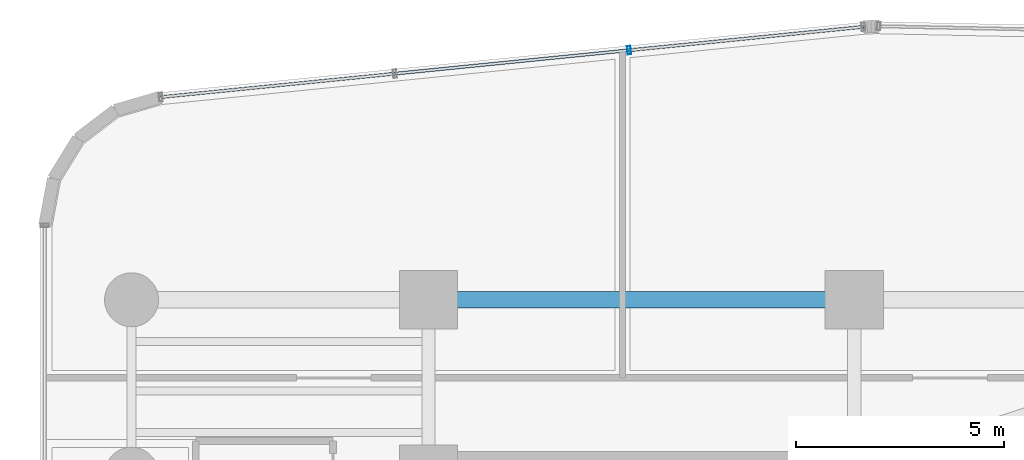
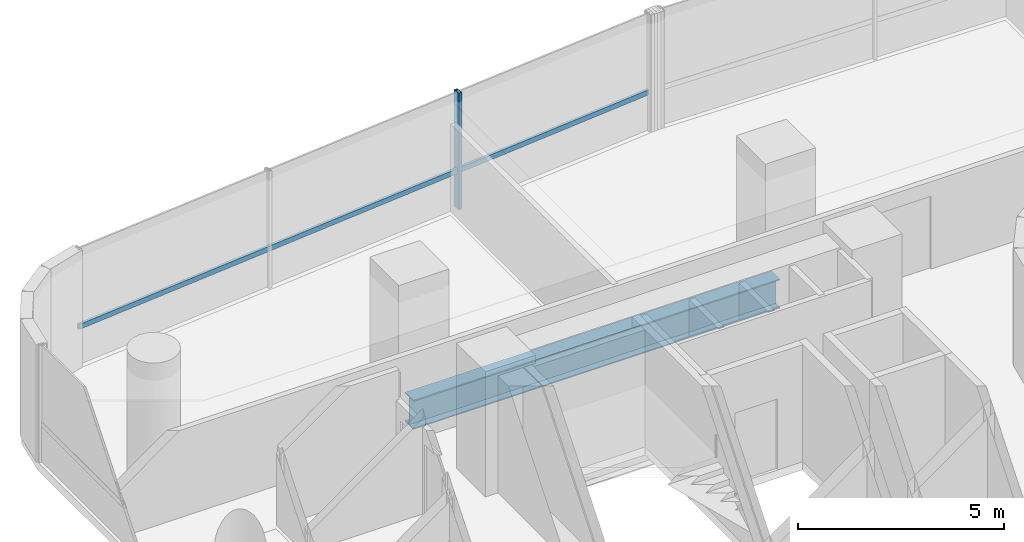
# One storey, part 19 of 41: 2 members, 1 beam, 1 element without a shape of its own.
"""IFC4 building model written with IfcOpenShell, lengths in metres."""

from ifc_helpers import new_model, si_unit, direction, frame, origin, origin_2d, place, context, subcontext, project, spatial, hollow_rectangle, i_section, extrude, source, transform, mapped, material, material_profile, profile_set, type_object, element, aggregate, save


model = new_model("IFC4")

# Units and contexts
model_context = context("Model", 3, precision=1e-05, world=origin(), true_north=direction((0.0, 1.0)))
body_context = subcontext(model_context, "Body", "Model", "MODEL_VIEW")
ifc_project = project(units=[si_unit("LENGTHUNIT", "METRE"), si_unit("AREAUNIT", "SQUARE_METRE"), si_unit("VOLUMEUNIT", "CUBIC_METRE"), si_unit("PLANEANGLEUNIT", "RADIAN"), si_unit("MASSUNIT", "GRAM", prefix="KILO")], contexts=[model_context])

# Site, building, storey
site_placement = place(None, origin())
site = spatial("IfcSite", under=ifc_project, at=site_placement, CompositionType="ELEMENT")
building_placement = place(site_placement, origin())
building = spatial("IfcBuilding", under=site, at=building_placement, Name="Valdorenza Pilgrim Sanctuary Tower", CompositionType="ELEMENT")
storey_placement = place(building_placement, frame((0.0, 0.0, 63.0)))
storey = spatial("IfcBuildingStorey", under=building, at=storey_placement, Name="L15", CompositionType="ELEMENT", Elevation=63.0)

# Beam
ifc_material_1 = material(Name="Steel ASTM A992 Grade 50", Category="steel")
ifc_material_profile_1 = material_profile(ifc_material_1, i_section(OverallWidth=0.39990234375, OverallDepth=0.862060546875, WebThickness=0.019775390625, FlangeThickness=0.032470703125, at=origin_2d()), Name="W33X221")
ifc_profile_set_1 = profile_set([ifc_material_profile_1], Name="Steel ASTM A992 Grade 50")
beam_type = type_object("IfcBeamType", Name="STR-BM-GRD-W33", PredefinedType="BEAM", material=ifc_profile_set_1)
shared_shape_1 = source(origin(), body_context, "Body", "SweptSolid", [
    extrude(i_section(OverallWidth=0.39990234375, OverallDepth=0.862060546875, WebThickness=0.019775390625, FlangeThickness=0.032470703125, at=origin_2d()), origin(), (0.0, 0.0, 1.0), 10.25),
])
beam_placement = place(storey_placement, frame((-22.64990234375, 14.800048828125, -0.6708984375), z_axis=(1.0, 0.0, 0.0), x_axis=(0.0, 1.0, 0.0)))
element("IfcBeam", 1, at=beam_placement, inside=storey, type_object=beam_type, Name="L15 Floor Girder CA-XC-N2", PredefinedType="BEAM", context=body_context, shape_type="MappedRepresentation", body=[
    mapped(shared_shape_1, transform((0.0, 0.0, 0.0), x_axis=(1.0, 0.0, 0.0), y_axis=(0.0, 1.0, 0.0), z_axis=(0.0, 0.0, 1.0), scale=1.0)),
])

# Curtain wall, members
ifc_material_2 = material(Name="Curtain-wall IGU glazing", Category="glass")
curtain_wall_type = type_object("IfcCurtainWallType", Name="CW-SYS-02", PredefinedType="NOTDEFINED", material=ifc_material_2)
curtain_wall_placement = place(storey_placement, origin())
curtain_wall = element("IfcCurtainWall", 2, at=curtain_wall_placement, inside=storey, type_object=curtain_wall_type, Name="L15 Curtain Wall CW-L15-1-6", PredefinedType="NOTDEFINED")
ifc_material_3 = material(Name="Anodised aluminium AW-6060", Category="aluminium")
ifc_material_profile_2 = material_profile(ifc_material_3, hollow_rectangle(XDim=0.0849609375, YDim=0.199951171875, WallThickness=0.0048828125, at=origin_2d()), Name="ALU-M 200x85x5")
ifc_profile_set_2 = profile_set([ifc_material_profile_2], Name="Anodised aluminium AW-6060")
member_type_1 = type_object("IfcMemberType", Name="CW-MUL-02", PredefinedType="MULLION", material=ifc_profile_set_2)
shared_shape_2 = source(origin(), body_context, "Body", "SweptSolid", [
    extrude(hollow_rectangle(XDim=0.0849609375, YDim=0.199951171875, WallThickness=0.0048828125, at=origin_2d()), origin(), (0.0, 0.0, 1.0), 3.4599609375),
])
member_1_placement = place(storey_placement, frame((-17.820556640625, 20.8076171875, 0.0), z_axis=(0.0, 0.0, 1.0), x_axis=(0.995038220239, 0.099493418189, 0.0)))
member_1 = element("IfcMember", 3, at=member_1_placement, type_object=member_type_1, Name="CW-L15-1-6 Mullion 3", PredefinedType="MULLION", context=body_context, shape_type="MappedRepresentation", body=[
    mapped(shared_shape_2, transform((0.0, 0.0, 0.0), x_axis=(1.0, 0.0, 0.0), y_axis=(0.0, 1.0, 0.0), z_axis=(0.0, 0.0, 1.0), scale=1.0)),
])
ifc_material_profile_3 = material_profile(ifc_material_3, hollow_rectangle(XDim=0.074951171875, YDim=0.14990234375, WallThickness=0.00390625, at=origin_2d()), Name="ALU-T 150x75x4")
ifc_profile_set_3 = profile_set([ifc_material_profile_3], Name="Anodised aluminium AW-6060")
member_type_2 = type_object("IfcMemberType", Name="CW-TRN-02", PredefinedType="USERDEFINED", material=ifc_profile_set_3)
shared_shape_3 = source(origin(), body_context, "Body", "SweptSolid", [
    extrude(hollow_rectangle(XDim=0.074951171875, YDim=0.14990234375, WallThickness=0.00390625, at=origin_2d()), origin(), (0.0, 0.0, 1.0), 17.0),
])
member_2_placement = place(storey_placement, frame((-29.097412109375, 19.6796875, 1.1201171875), z_axis=(0.99503662143, 0.099509406661, 0.0), x_axis=(-0.099509406661, 0.99503662143, 0.0)))
member_2 = element("IfcMember", 4, at=member_2_placement, type_object=member_type_2, Name="CW-L15-1-6 Transom 1", ObjectType="TRANSOM", PredefinedType="USERDEFINED", context=body_context, shape_type="MappedRepresentation", body=[
    mapped(shared_shape_3, transform((0.0, 0.0, 0.0), x_axis=(1.0, 0.0, 0.0), y_axis=(0.0, 1.0, 0.0), z_axis=(0.0, 0.0, 1.0), scale=1.0)),
])
aggregate(curtain_wall, [member_1, member_2])

save(model, "model.ifc")
